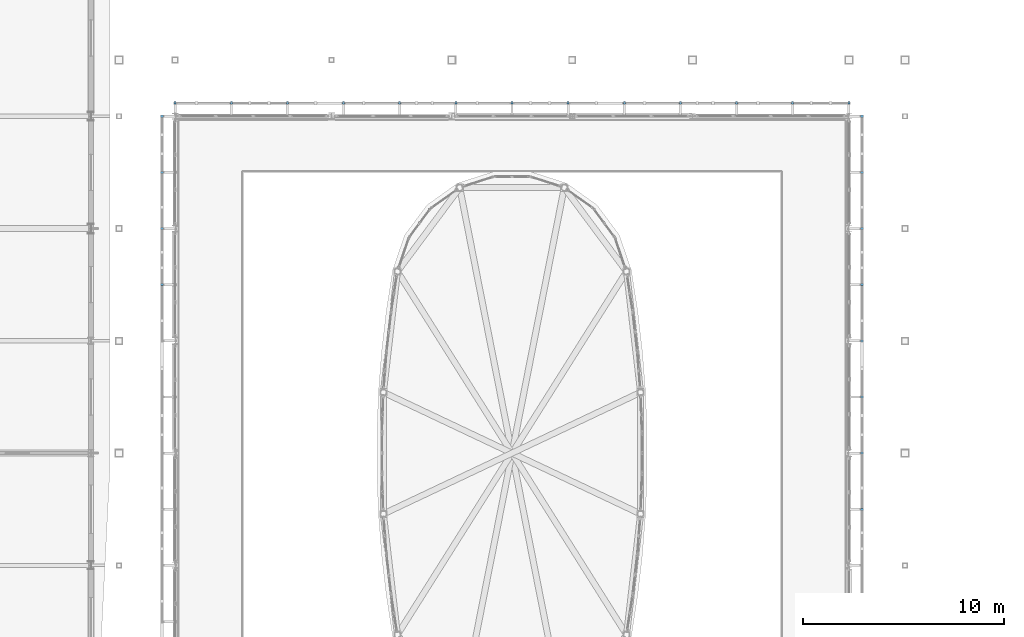
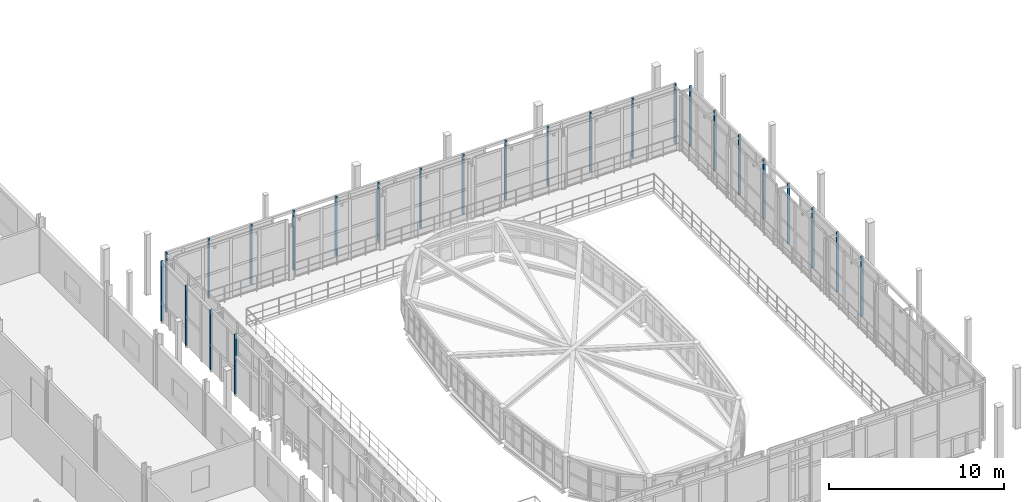
# One storey, part 71 of 78: 25 discrete accessories.
"""IFC4 building model written with IfcOpenShell, lengths in metres."""

from ifc_helpers import new_model, si_unit, direction, frame, origin, origin_2d, place, context, subcontext, project, spatial, rectangle, extrude, material, type_object, element, save


model = new_model("IFC4")

# Units and contexts
model_context = context("Model", 3, precision=1e-05, world=origin(), true_north=direction((0.0, 1.0)))
body_context = subcontext(model_context, "Body", "Model", "MODEL_VIEW")
ifc_project = project(units=[si_unit("LENGTHUNIT", "METRE"), si_unit("AREAUNIT", "SQUARE_METRE"), si_unit("VOLUMEUNIT", "CUBIC_METRE"), si_unit("PLANEANGLEUNIT", "RADIAN"), si_unit("MASSUNIT", "GRAM", prefix="KILO")], contexts=[model_context])

# Site, building, storey
site_placement = place(None, origin())
site = spatial("IfcSite", under=ifc_project, at=site_placement, CompositionType="ELEMENT")
building_placement = place(site_placement, origin())
building = spatial("IfcBuilding", under=site, at=building_placement, Name="Vinh Khe Railworks Police Headquarters", CompositionType="ELEMENT")
storey_placement = place(building_placement, frame((0.0, 0.0, 13.199951171875)))
storey = spatial("IfcBuildingStorey", under=building, at=storey_placement, Name="L03", CompositionType="ELEMENT", Elevation=13.199951171875)

# Discrete accessories
ifc_material = material(Name="Steel S355JR", Category="steel")
discrete_accessory_type = type_object("IfcDiscreteAccessoryType", Name="SCR-MULL-RHS150", PredefinedType="BRACKET", material=ifc_material)
for number, where, z_axis, x_axis, name in (
    (1, (26.39990234375, 59.449951171875, 0.0), (0.0, 0.0, 1.0), (1.0, 0.0, 0.0), "Patchwork Screen Vertical Support Channel N-1 L03"),
    (2, (29.199951171875, 59.449951171875, 0.0), (0.0, 0.0, 1.0), (1.0, 0.0, 0.0), "Patchwork Screen Vertical Support Channel N-2 L03"),
    (3, (32.0, 59.449951171875, 0.0), (0.0, 0.0, 1.0), (1.0, 0.0, 0.0), "Patchwork Screen Vertical Support Channel N-3 L03"),
    (4, (34.800048828125, 59.449951171875, 0.0), (0.0, 0.0, 1.0), (1.0, 0.0, 0.0), "Patchwork Screen Vertical Support Channel N-4 L03"),
    (5, (37.60009765625, 59.449951171875, 0.0), (0.0, 0.0, 1.0), (1.0, 0.0, 0.0), "Patchwork Screen Vertical Support Channel N-5 L03"),
    (6, (40.39990234375, 59.449951171875, 0.0), (0.0, 0.0, 1.0), (1.0, 0.0, 0.0), "Patchwork Screen Vertical Support Channel N-6 L03"),
    (7, (43.199951171875, 59.449951171875, 0.0), (0.0, 0.0, 1.0), (1.0, 0.0, 0.0), "Patchwork Screen Vertical Support Channel N-7 L03"),
    (8, (46.0, 59.449951171875, 0.0), (0.0, 0.0, 1.0), (1.0, 0.0, 0.0), "Patchwork Screen Vertical Support Channel N-8 L03"),
    (9, (48.800048828125, 59.449951171875, 0.0), (0.0, 0.0, 1.0), (1.0, 0.0, 0.0), "Patchwork Screen Vertical Support Channel N-9 L03"),
    (10, (51.60009765625, 59.449951171875, 0.0), (0.0, 0.0, 1.0), (1.0, 0.0, 0.0), "Patchwork Screen Vertical Support Channel N-10 L03"),
    (11, (54.39990234375, 59.449951171875, 0.0), (0.0, 0.0, 1.0), (1.0, 0.0, 0.0), "Patchwork Screen Vertical Support Channel N-11 L03"),
    (12, (57.199951171875, 59.449951171875, 0.0), (0.0, 0.0, 1.0), (1.0, 0.0, 0.0), "Patchwork Screen Vertical Support Channel N-12 L03"),
    (13, (60.0, 59.449951171875, 0.0), (0.0, 0.0, 1.0), (1.0, 0.0, 0.0), "Patchwork Screen Vertical Support Channel N-13 L03"),
):
    element("IfcDiscreteAccessory", number, at=place(storey_placement, frame(where, z_axis=z_axis, x_axis=x_axis)), inside=storey, type_object=discrete_accessory_type, Name=name, PredefinedType="BRACKET", context=body_context, shape_type="SweptSolid", body=[
        extrude(rectangle(XDim=0.10009765625, YDim=0.14990234375, at=origin_2d()), origin(), (0.0, 0.0, 1.0), 4.199951171875),
    ])
for number, where, z_axis, x_axis, name in (
    (14, (60.64990234375, 39.199951171875, 0.0), (0.0, 0.0, 1.0), (1.0, 0.0, 0.0), "Patchwork Screen Vertical Support Channel E-6 L03"),
    (15, (60.64990234375, 42.0, 0.0), (0.0, 0.0, 1.0), (1.0, 0.0, 0.0), "Patchwork Screen Vertical Support Channel E-7 L03"),
    (16, (60.64990234375, 44.800048828125, 0.0), (0.0, 0.0, 1.0), (1.0, 0.0, 0.0), "Patchwork Screen Vertical Support Channel E-8 L03"),
    (17, (60.64990234375, 47.60009765625, 0.0), (0.0, 0.0, 1.0), (1.0, 0.0, 0.0), "Patchwork Screen Vertical Support Channel E-9 L03"),
    (18, (60.64990234375, 50.39990234375, 0.0), (0.0, 0.0, 1.0), (1.0, 0.0, 0.0), "Patchwork Screen Vertical Support Channel E-10 L03"),
    (19, (60.64990234375, 53.199951171875, 0.0), (0.0, 0.0, 1.0), (1.0, 0.0, 0.0), "Patchwork Screen Vertical Support Channel E-11 L03"),
    (20, (60.64990234375, 56.0, 0.0), (0.0, 0.0, 1.0), (1.0, 0.0, 0.0), "Patchwork Screen Vertical Support Channel E-12 L03"),
    (21, (60.64990234375, 58.800048828125, 0.0), (0.0, 0.0, 1.0), (1.0, 0.0, 0.0), "Patchwork Screen Vertical Support Channel E-13 L03"),
    (22, (25.75, 50.39990234375, 0.0), (0.0, 0.0, 1.0), (1.0, 0.0, 0.0), "Patchwork Screen Vertical Support Channel W-10 L03"),
    (23, (25.75, 53.199951171875, 0.0), (0.0, 0.0, 1.0), (1.0, 0.0, 0.0), "Patchwork Screen Vertical Support Channel W-11 L03"),
    (24, (25.75, 56.0, 0.0), (0.0, 0.0, 1.0), (1.0, 0.0, 0.0), "Patchwork Screen Vertical Support Channel W-12 L03"),
    (25, (25.75, 58.800048828125, 0.0), (0.0, 0.0, 1.0), (1.0, 0.0, 0.0), "Patchwork Screen Vertical Support Channel W-13 L03"),
):
    element("IfcDiscreteAccessory", number, at=place(storey_placement, frame(where, z_axis=z_axis, x_axis=x_axis)), inside=storey, type_object=discrete_accessory_type, Name=name, PredefinedType="BRACKET", context=body_context, shape_type="SweptSolid", body=[
        extrude(rectangle(XDim=0.14990234375, YDim=0.10009765625, at=origin_2d()), origin(), (0.0, 0.0, 1.0), 4.199951171875),
    ])

save(model, "model.ifc")
